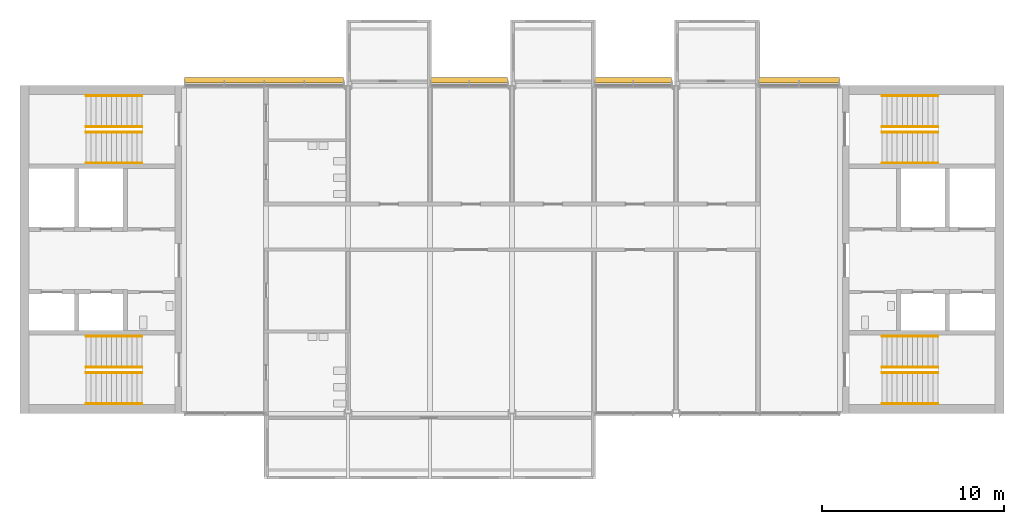
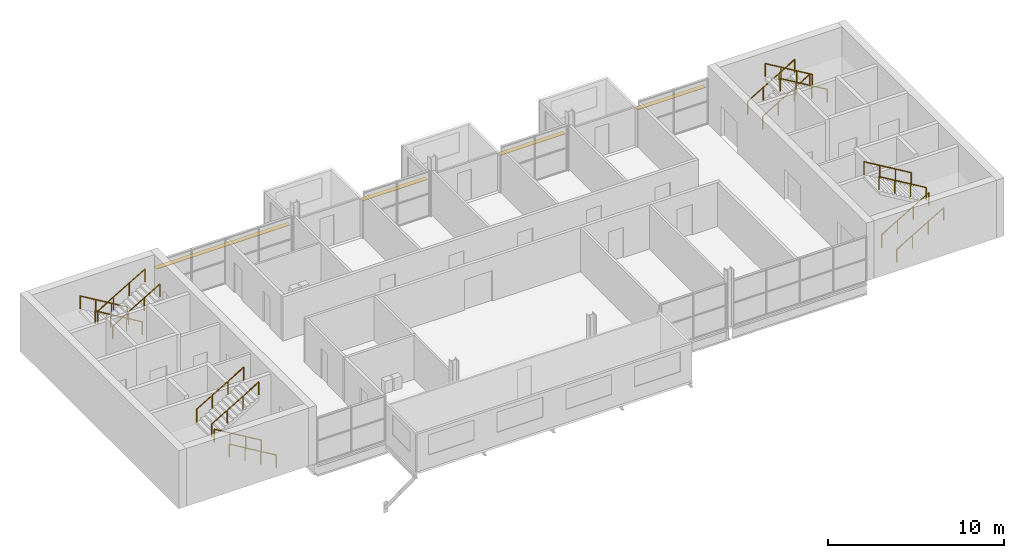
# One storey, part 11 of 12: 16 railings, 4 shading devices.
"""IFC4 building model written with IfcOpenShell, lengths in metres."""

from ifc_helpers import new_model, si_unit, direction, frame, origin, origin_2d, place, context, subcontext, project, spatial, rectangle, circle, extrude, material, layer, layer_set, type_object, element, save


model = new_model("IFC4")

# Units and contexts
model_context = context("Model", 3, precision=1e-05, world=origin(), true_north=direction((0.0, 1.0)))
body_context = subcontext(model_context, "Body", "Model", "MODEL_VIEW")
ifc_project = project(units=[si_unit("LENGTHUNIT", "METRE"), si_unit("AREAUNIT", "SQUARE_METRE"), si_unit("VOLUMEUNIT", "CUBIC_METRE"), si_unit("PLANEANGLEUNIT", "RADIAN"), si_unit("MASSUNIT", "GRAM", prefix="KILO")], contexts=[model_context])

# Site, building, storey
site_placement = place(None, origin())
site = spatial("IfcSite", under=ifc_project, at=site_placement, CompositionType="ELEMENT")
building_placement = place(site_placement, origin())
building = spatial("IfcBuilding", under=site, at=building_placement, Name="Corbel Yard City Hall", CompositionType="ELEMENT")
storey_placement = place(building_placement, frame((0.0, 0.0, 31.199951171875)))
storey = spatial("IfcBuildingStorey", under=building, at=storey_placement, Name="L07", CompositionType="ELEMENT", Elevation=31.199951171875)

# Railings
ifc_material_1 = material(Name="Stainless steel Grade 316", Category="steel")
railing_type = type_object("IfcRailingType", Name="HR1", PredefinedType="HANDRAIL", material=ifc_material_1)
for number, where, name in (
    (1, (6.699951171875, 99.550048828125, 0.166748046875), "Exit stair ST-W1 handrail"),
    (2, (6.699951171875, 101.25, 0.166748046875), "Exit stair ST-W1 handrail"),
):
    element("IfcRailing", number, at=place(storey_placement, frame(where)), inside=storey, type_object=railing_type, Name=name, PredefinedType="HANDRAIL", context=body_context, shape_type="SweptSolid", body=[
        extrude(circle(Radius=0.02392578125, at=origin_2d()), frame((0.0, 0.0, 0.8759765625), z_axis=(-0.859290745958, 0.0, 0.51148745235), x_axis=(0.0, -1.0, 0.0)), (0.0, 0.0, 1.0), 3.584228515625),
        extrude(circle(Radius=0.02099609375, at=origin_2d()), origin(), (0.0, 0.0, 1.0), 0.851806640625),
        extrude(circle(Radius=0.02099609375, at=origin_2d()), frame((-1.026611328125, 0.0, 0.611083984375)), (0.0, 0.0, 1.0), 0.851806640625),
        extrude(circle(Radius=0.02099609375, at=origin_2d()), frame((-2.05322265625, 0.0, 1.22216796875)), (0.0, 0.0, 1.0), 0.851806640625),
        extrude(circle(Radius=0.02099609375, at=origin_2d()), frame((-3.079833984375, 0.0, 1.833251953125)), (0.0, 0.0, 1.0), 0.851806640625),
    ])
for number, where, name in (
    (3, (3.6201171875, 101.550048828125, 2.166748046875), "Exit stair ST-W1 handrail"),
    (4, (3.6201171875, 103.25, 2.166748046875), "Exit stair ST-W1 handrail"),
):
    element("IfcRailing", number, at=place(storey_placement, frame(where)), inside=storey, type_object=railing_type, Name=name, PredefinedType="HANDRAIL", context=body_context, shape_type="SweptSolid", body=[
        extrude(circle(Radius=0.02392578125, at=origin_2d()), frame((0.0, 0.0, 0.8759765625), z_axis=(0.859290745958, 0.0, 0.51148745235), x_axis=(0.0, 1.0, 0.0)), (0.0, 0.0, 1.0), 3.584228515625),
        extrude(circle(Radius=0.02099609375, at=origin_2d()), origin(), (0.0, 0.0, 1.0), 0.851806640625),
        extrude(circle(Radius=0.02099609375, at=origin_2d()), frame((1.026611328125, 0.0, 0.611083984375)), (0.0, 0.0, 1.0), 0.851806640625),
        extrude(circle(Radius=0.02099609375, at=origin_2d()), frame((2.05322265625, 0.0, 1.22216796875)), (0.0, 0.0, 1.0), 0.851806640625),
        extrude(circle(Radius=0.02099609375, at=origin_2d()), frame((3.079833984375, 0.0, 1.833251953125)), (0.0, 0.0, 1.0), 0.851806640625),
    ])
for number, where, name in (
    (5, (6.699951171875, 116.449951171875, 0.166748046875), "Exit stair ST-W2 handrail"),
    (6, (6.699951171875, 114.75, 0.166748046875), "Exit stair ST-W2 handrail"),
):
    element("IfcRailing", number, at=place(storey_placement, frame(where)), inside=storey, type_object=railing_type, Name=name, PredefinedType="HANDRAIL", context=body_context, shape_type="SweptSolid", body=[
        extrude(circle(Radius=0.02392578125, at=origin_2d()), frame((0.0, 0.0, 0.8759765625), z_axis=(-0.859290745958, 0.0, 0.51148745235), x_axis=(0.0, -1.0, 0.0)), (0.0, 0.0, 1.0), 3.584228515625),
        extrude(circle(Radius=0.02099609375, at=origin_2d()), origin(), (0.0, 0.0, 1.0), 0.851806640625),
        extrude(circle(Radius=0.02099609375, at=origin_2d()), frame((-1.026611328125, 0.0, 0.611083984375)), (0.0, 0.0, 1.0), 0.851806640625),
        extrude(circle(Radius=0.02099609375, at=origin_2d()), frame((-2.05322265625, 0.0, 1.22216796875)), (0.0, 0.0, 1.0), 0.851806640625),
        extrude(circle(Radius=0.02099609375, at=origin_2d()), frame((-3.079833984375, 0.0, 1.833251953125)), (0.0, 0.0, 1.0), 0.851806640625),
    ])
for number, where, name in (
    (7, (3.6201171875, 114.449951171875, 2.166748046875), "Exit stair ST-W2 handrail"),
    (8, (3.6201171875, 112.75, 2.166748046875), "Exit stair ST-W2 handrail"),
    (9, (47.300048828125, 99.550048828125, 0.166748046875), "Exit stair ST-E1 handrail"),
    (10, (47.300048828125, 101.25, 0.166748046875), "Exit stair ST-E1 handrail"),
):
    element("IfcRailing", number, at=place(storey_placement, frame(where)), inside=storey, type_object=railing_type, Name=name, PredefinedType="HANDRAIL", context=body_context, shape_type="SweptSolid", body=[
        extrude(circle(Radius=0.02392578125, at=origin_2d()), frame((0.0, 0.0, 0.8759765625), z_axis=(0.859290745958, 0.0, 0.51148745235), x_axis=(0.0, 1.0, 0.0)), (0.0, 0.0, 1.0), 3.584228515625),
        extrude(circle(Radius=0.02099609375, at=origin_2d()), origin(), (0.0, 0.0, 1.0), 0.851806640625),
        extrude(circle(Radius=0.02099609375, at=origin_2d()), frame((1.026611328125, 0.0, 0.611083984375)), (0.0, 0.0, 1.0), 0.851806640625),
        extrude(circle(Radius=0.02099609375, at=origin_2d()), frame((2.05322265625, 0.0, 1.22216796875)), (0.0, 0.0, 1.0), 0.851806640625),
        extrude(circle(Radius=0.02099609375, at=origin_2d()), frame((3.079833984375, 0.0, 1.833251953125)), (0.0, 0.0, 1.0), 0.851806640625),
    ])
for number, where, name in (
    (11, (50.3798828125, 101.550048828125, 2.166748046875), "Exit stair ST-E1 handrail"),
    (12, (50.3798828125, 103.25, 2.166748046875), "Exit stair ST-E1 handrail"),
):
    element("IfcRailing", number, at=place(storey_placement, frame(where)), inside=storey, type_object=railing_type, Name=name, PredefinedType="HANDRAIL", context=body_context, shape_type="SweptSolid", body=[
        extrude(circle(Radius=0.02392578125, at=origin_2d()), frame((0.0, 0.0, 0.8759765625), z_axis=(-0.859290745958, 0.0, 0.51148745235), x_axis=(0.0, -1.0, 0.0)), (0.0, 0.0, 1.0), 3.584228515625),
        extrude(circle(Radius=0.02099609375, at=origin_2d()), origin(), (0.0, 0.0, 1.0), 0.851806640625),
        extrude(circle(Radius=0.02099609375, at=origin_2d()), frame((-1.026611328125, 0.0, 0.611083984375)), (0.0, 0.0, 1.0), 0.851806640625),
        extrude(circle(Radius=0.02099609375, at=origin_2d()), frame((-2.05322265625, 0.0, 1.22216796875)), (0.0, 0.0, 1.0), 0.851806640625),
        extrude(circle(Radius=0.02099609375, at=origin_2d()), frame((-3.079833984375, 0.0, 1.833251953125)), (0.0, 0.0, 1.0), 0.851806640625),
    ])
for number, where, name in (
    (13, (47.300048828125, 116.449951171875, 0.166748046875), "Exit stair ST-E2 handrail"),
    (14, (47.300048828125, 114.75, 0.166748046875), "Exit stair ST-E2 handrail"),
):
    element("IfcRailing", number, at=place(storey_placement, frame(where)), inside=storey, type_object=railing_type, Name=name, PredefinedType="HANDRAIL", context=body_context, shape_type="SweptSolid", body=[
        extrude(circle(Radius=0.02392578125, at=origin_2d()), frame((0.0, 0.0, 0.8759765625), z_axis=(0.859290745958, 0.0, 0.51148745235), x_axis=(0.0, 1.0, 0.0)), (0.0, 0.0, 1.0), 3.584228515625),
        extrude(circle(Radius=0.02099609375, at=origin_2d()), origin(), (0.0, 0.0, 1.0), 0.851806640625),
        extrude(circle(Radius=0.02099609375, at=origin_2d()), frame((1.026611328125, 0.0, 0.611083984375)), (0.0, 0.0, 1.0), 0.851806640625),
        extrude(circle(Radius=0.02099609375, at=origin_2d()), frame((2.05322265625, 0.0, 1.22216796875)), (0.0, 0.0, 1.0), 0.851806640625),
        extrude(circle(Radius=0.02099609375, at=origin_2d()), frame((3.079833984375, 0.0, 1.833251953125)), (0.0, 0.0, 1.0), 0.851806640625),
    ])
for number, where, name in (
    (15, (50.3798828125, 114.449951171875, 2.166748046875), "Exit stair ST-E2 handrail"),
    (16, (50.3798828125, 112.75, 2.166748046875), "Exit stair ST-E2 handrail"),
):
    element("IfcRailing", number, at=place(storey_placement, frame(where)), inside=storey, type_object=railing_type, Name=name, PredefinedType="HANDRAIL", context=body_context, shape_type="SweptSolid", body=[
        extrude(circle(Radius=0.02392578125, at=origin_2d()), frame((0.0, 0.0, 0.8759765625), z_axis=(-0.859290745958, 0.0, 0.51148745235), x_axis=(0.0, -1.0, 0.0)), (0.0, 0.0, 1.0), 3.584228515625),
        extrude(circle(Radius=0.02099609375, at=origin_2d()), origin(), (0.0, 0.0, 1.0), 0.851806640625),
        extrude(circle(Radius=0.02099609375, at=origin_2d()), frame((-1.026611328125, 0.0, 0.611083984375)), (0.0, 0.0, 1.0), 0.851806640625),
        extrude(circle(Radius=0.02099609375, at=origin_2d()), frame((-2.05322265625, 0.0, 1.22216796875)), (0.0, 0.0, 1.0), 0.851806640625),
        extrude(circle(Radius=0.02099609375, at=origin_2d()), frame((-3.079833984375, 0.0, 1.833251953125)), (0.0, 0.0, 1.0), 0.851806640625),
    ])

# Shading devices
ifc_material_2 = material(Name="Anodised aluminium", Category="aluminium")
ifc_layer = layer(ifc_material_2, 0.0400390625)
ifc_layer_set = layer_set([ifc_layer], Name="Anodised aluminium")
shading_device_type = type_object("IfcShadingDeviceType", Name="LV1", PredefinedType="JALOUSIE", material=ifc_layer_set)
shading_device_1_placement = place(storey_placement, frame((13.396484375, 117.2900390625, 2.392578125), z_axis=(0.0, 0.0, 1.0), x_axis=(1.0, 0.0, 0.0)))
element("IfcShadingDevice", 17, at=shading_device_1_placement, inside=storey, type_object=shading_device_type, Name="Louvre blade", PredefinedType="JALOUSIE", context=body_context, shape_type="SweptSolid", body=[
    extrude(rectangle(XDim=8.72802734375, YDim=0.300048828125, at=origin_2d()), origin(), (0.0, 0.0, 1.0), 0.0400390625),
])
for number, where, z_axis, x_axis, name in (
    (18, (24.646484375, 117.2900390625, 2.392578125), (0.0, 0.0, 1.0), (1.0, 0.0, 0.0), "Louvre blade"),
    (19, (33.646484375, 117.2900390625, 2.392578125), (0.0, 0.0, 1.0), (1.0, 0.0, 0.0), "Louvre blade"),
):
    element("IfcShadingDevice", number, at=place(storey_placement, frame(where, z_axis=z_axis, x_axis=x_axis)), inside=storey, type_object=shading_device_type, Name=name, PredefinedType="JALOUSIE", context=body_context, shape_type="SweptSolid", body=[
        extrude(rectangle(XDim=4.22802734375, YDim=0.300048828125, at=origin_2d()), origin(), (0.0, 0.0, 1.0), 0.0400390625),
    ])
shading_device_2_placement = place(storey_placement, frame((42.75, 117.2900390625, 2.392578125), z_axis=(0.0, 0.0, 1.0), x_axis=(1.0, 0.0, 0.0)))
element("IfcShadingDevice", 20, at=shading_device_2_placement, inside=storey, type_object=shading_device_type, Name="Louvre blade", PredefinedType="JALOUSIE", context=body_context, shape_type="SweptSolid", body=[
    extrude(rectangle(XDim=4.43505859375, YDim=0.300048828125, at=origin_2d()), origin(), (0.0, 0.0, 1.0), 0.0400390625),
])

save(model, "model.ifc")
